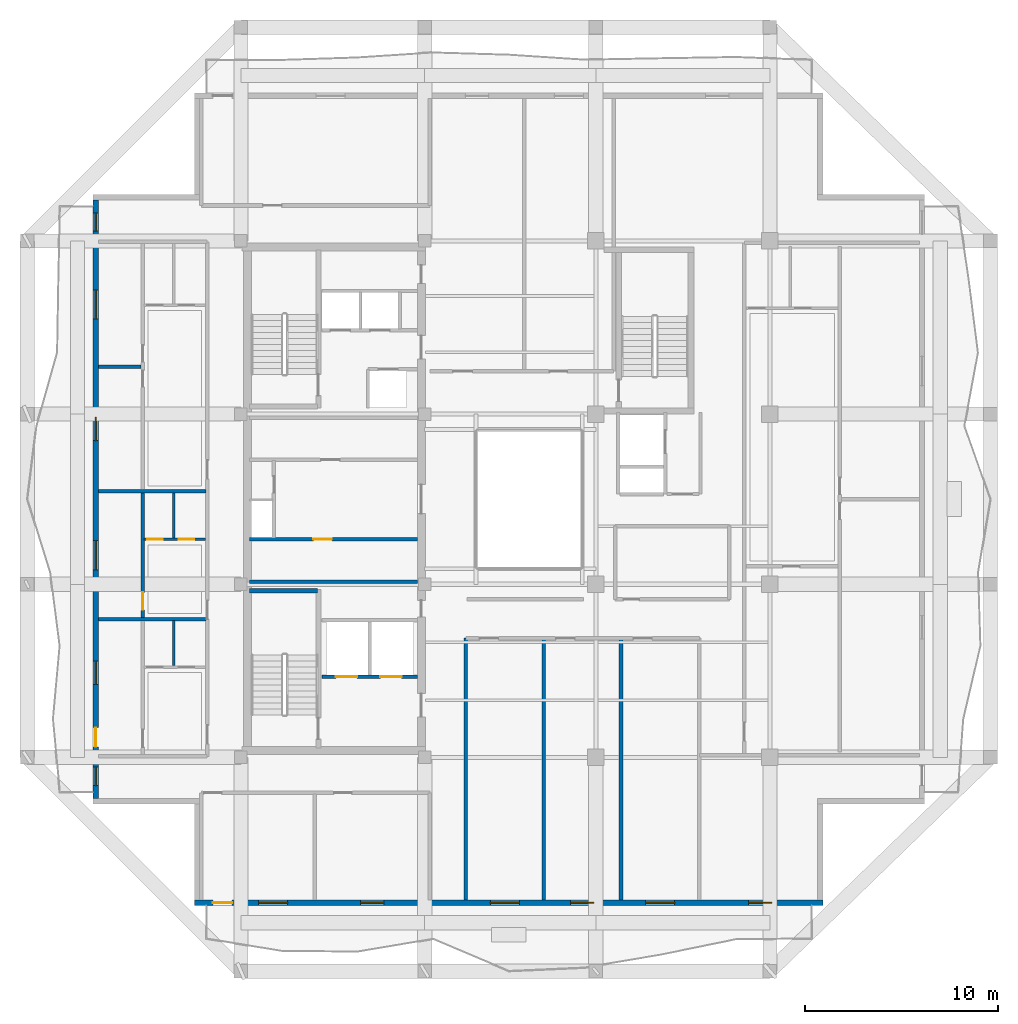
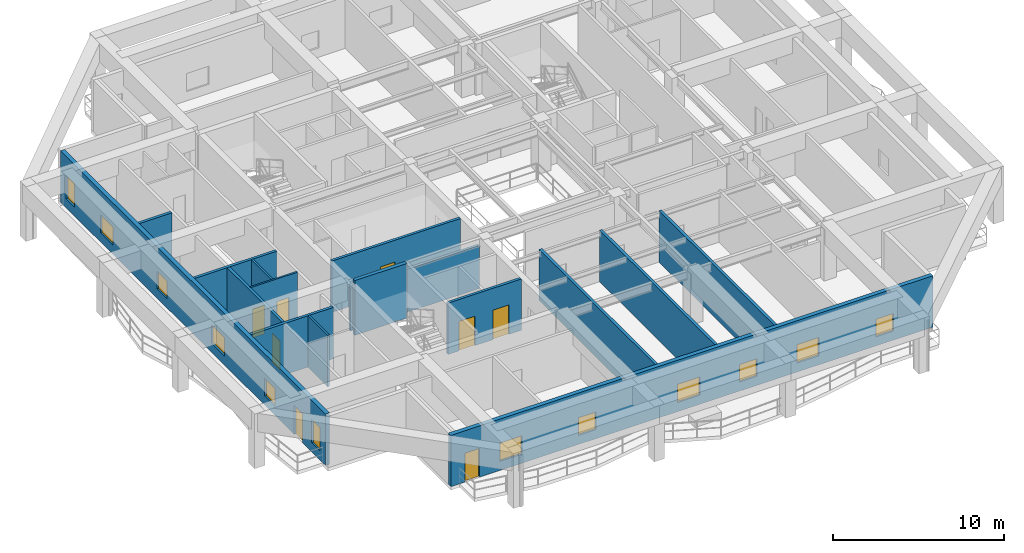
# One storey, part 3 of 11: 16 walls, 12 windows, 8 doors, 20 openings.
"""IFC4 building model written with IfcOpenShell, lengths in metres."""

from ifc_helpers import new_model, si_unit, direction, frame, frame_2d, origin, place, context, subcontext, project, spatial, rectangle, extrude, material, layer, layer_set, type_object, element, fill, save


model = new_model("IFC4")

# Units and contexts
model_context = context("Model", 3, precision=1e-05, world=origin(), true_north=direction((0.0, 1.0)))
body_context = subcontext(model_context, "Body", "Model", "MODEL_VIEW")
ifc_project = project(units=[si_unit("LENGTHUNIT", "METRE"), si_unit("AREAUNIT", "SQUARE_METRE"), si_unit("VOLUMEUNIT", "CUBIC_METRE"), si_unit("PLANEANGLEUNIT", "RADIAN"), si_unit("MASSUNIT", "GRAM", prefix="KILO")], contexts=[model_context])

# Site, building, storey
site_placement = place(None, origin())
site = spatial("IfcSite", under=ifc_project, at=site_placement, CompositionType="ELEMENT")
building_placement = place(site_placement, origin())
building = spatial("IfcBuilding", under=site, at=building_placement, Name="Kundavana Baori Tower", CompositionType="ELEMENT")
storey_placement = place(building_placement, frame((0.0, 0.0, 268.699951171875)))
storey = spatial("IfcBuildingStorey", under=building, at=storey_placement, Name="L66", CompositionType="ELEMENT", Elevation=268.699951171875)

# Wall
ifc_material_1 = material(Name="Concrete C50/60", Category="concrete")
ifc_layer_1 = layer(ifc_material_1, 0.39990234375, Name="WL-CORE-400")
ifc_layer_set_1 = layer_set([ifc_layer_1], Name="Concrete C50/60")
wall_type_1 = type_object("IfcWallType", Name="WL-CORE-400", PredefinedType="SHEAR", material=ifc_layer_set_1)
wall_1_placement = place(storey_placement, frame((15.89990234375, 23.860107421875, 0.0), z_axis=(0.0, 0.0, 1.0), x_axis=(1.0, 0.0, 0.0)))
element("IfcWall", 1, at=wall_1_placement, inside=storey, type_object=wall_type_1, Name="WL-L66-ST1-N", PredefinedType="SHEAR", context=body_context, shape_type="SweptSolid", body=[
    extrude(rectangle(XDim=3.52001953125, YDim=0.239990234375, at=frame_2d((1.760009765625, 0.0))), origin(), (0.0, 0.0, 1.0), 3.900146484375),
])

# Wall, openings, door, windows
ifc_material_2 = material(Name="Red-Buff Dholpur Sandstone Cladding on Concrete C40/50", Category="masonry")
ifc_layer_2 = layer(ifc_material_2, 0.280029296875, Name="WL-EXT-SAND-280")
ifc_layer_set_2 = layer_set([ifc_layer_2], Name="Red-Buff Dholpur Sandstone Cladding on Concrete C40/50")
wall_type_2 = type_object("IfcWallType", Name="WL-EXT-SAND-280", PredefinedType="STANDARD", material=ifc_layer_set_2)
wall_2_placement = place(storey_placement, frame((13.050048828125, 7.739990234375, 0.0), z_axis=(0.0, 0.0, 1.0), x_axis=(1.0, 0.0, 0.0)))
wall_2 = element("IfcWall", 2, at=wall_2_placement, inside=storey, type_object=wall_type_2, Name="L66 Exterior Insulated Facade Wall 01", PredefinedType="STANDARD", context=body_context, shape_type="SweptSolid", body=[
    extrude(rectangle(XDim=32.5, YDim=0.280029296875, at=frame_2d((16.25, 0.0))), origin(), (0.0, 0.0, 1.0), 3.66015625),
])
opening_1_placement = place(wall_2_placement, frame((0.949951171875, 0.0, 0.0)))
opening_1 = element("IfcOpeningElement", 3, at=opening_1_placement, cuts=wall_2, Name="Opening BD-1", PredefinedType="OPENING", context=body_context, shape_type="SweptSolid", body=[
    extrude(rectangle(XDim=1.0, YDim=2.050048828125, at=frame_2d((0.5, 1.02490234375))), frame((0.0, 0.14990234375, 0.0), z_axis=(0.0, -1.0, 0.0), x_axis=(1.0, 0.0, 0.0)), (0.0, 0.0, 1.0), 0.300048828125),
])
opening_2_placement = place(wall_2_placement, frame((3.31005859375, 0.0, 0.64990234375)))
opening_2 = element("IfcOpeningElement", 4, at=opening_2_placement, cuts=wall_2, Name="Opening W-11", PredefinedType="OPENING", context=body_context, shape_type="SweptSolid", body=[
    extrude(rectangle(XDim=1.5, YDim=1.300048828125, at=frame_2d((0.75, 0.64990234375))), frame((0.0, 0.14990234375, 0.0), z_axis=(0.0, -1.0, 0.0), x_axis=(1.0, 0.0, 0.0)), (0.0, 0.0, 1.0), 0.300048828125),
])
opening_3_placement = place(wall_2_placement, frame((8.594970703125, 0.0, 0.64990234375)))
opening_3 = element("IfcOpeningElement", 5, at=opening_3_placement, cuts=wall_2, Name="Opening W-12", PredefinedType="OPENING", context=body_context, shape_type="SweptSolid", body=[
    extrude(rectangle(XDim=1.199951171875, YDim=1.25, at=frame_2d((0.60009765625, 0.625))), frame((0.0, 0.14990234375, 0.0), z_axis=(0.0, -1.0, 0.0), x_axis=(1.0, 0.0, 0.0)), (0.0, 0.0, 1.0), 0.300048828125),
])
opening_4_placement = place(wall_2_placement, frame((15.2900390625, 0.0, 0.64990234375)))
opening_4 = element("IfcOpeningElement", 6, at=opening_4_placement, cuts=wall_2, Name="Opening W-11", PredefinedType="OPENING", context=body_context, shape_type="SweptSolid", body=[
    extrude(rectangle(XDim=1.5, YDim=1.300048828125, at=frame_2d((0.75, 0.64990234375))), frame((0.0, 0.14990234375, 0.0), z_axis=(0.0, -1.0, 0.0), x_axis=(1.0, 0.0, 0.0)), (0.0, 0.0, 1.0), 0.300048828125),
])
opening_5_placement = place(wall_2_placement, frame((19.449951171875, 0.0, 0.64990234375)))
opening_5 = element("IfcOpeningElement", 7, at=opening_5_placement, cuts=wall_2, Name="Opening W-12", PredefinedType="OPENING", context=body_context, shape_type="SweptSolid", body=[
    extrude(rectangle(XDim=1.199951171875, YDim=1.25, at=frame_2d((0.60009765625, 0.625))), frame((0.0, 0.14990234375, 0.0), z_axis=(0.0, -1.0, 0.0), x_axis=(1.0, 0.0, 0.0)), (0.0, 0.0, 1.0), 0.300048828125),
])
opening_6_placement = place(wall_2_placement, frame((23.324951171875, 0.0, 0.64990234375)))
opening_6 = element("IfcOpeningElement", 8, at=opening_6_placement, cuts=wall_2, Name="Opening W-11", PredefinedType="OPENING", context=body_context, shape_type="SweptSolid", body=[
    extrude(rectangle(XDim=1.5, YDim=1.300048828125, at=frame_2d((0.75, 0.64990234375))), frame((0.0, 0.14990234375, 0.0), z_axis=(0.0, -1.0, 0.0), x_axis=(1.0, 0.0, 0.0)), (0.0, 0.0, 1.0), 0.300048828125),
])
opening_7_placement = place(wall_2_placement, frame((28.64501953125, 0.0, 0.64990234375)))
opening_7 = element("IfcOpeningElement", 9, at=opening_7_placement, cuts=wall_2, Name="Opening W-12", PredefinedType="OPENING", context=body_context, shape_type="SweptSolid", body=[
    extrude(rectangle(XDim=1.199951171875, YDim=1.25, at=frame_2d((0.60009765625, 0.625))), frame((0.0, 0.14990234375, 0.0), z_axis=(0.0, -1.0, 0.0), x_axis=(1.0, 0.0, 0.0)), (0.0, 0.0, 1.0), 0.300048828125),
])
ifc_material_3 = material(Name="Architectural Patinated Bronze Metalwork")
door_type_1 = type_object("IfcDoorType", Name="DR-EXT-LOG-1000", OperationType="NOTDEFINED", PredefinedType="DOOR", material=ifc_material_3)
door_1_placement = place(opening_1_placement, frame((1.0, 0.0, 0.0), z_axis=(0.0, 0.0, 1.0), x_axis=(-1.0, 0.0, 0.0)))
door_1 = element("IfcDoor", 10, at=door_1_placement, inside=storey, type_object=door_type_1, Name="L66 Loggia Balcony Access Door S", OperationType="SINGLE_SWING_LEFT", OverallHeight=2.050048828125, OverallWidth=1.0, PredefinedType="DOOR", context=body_context, shape_type="SweptSolid", body=[
    extrude(rectangle(XDim=1.0, YDim=2.050048828125, at=frame_2d((0.5, 1.02490234375))), frame((0.0, 0.02490234375, 0.0), z_axis=(0.0, -1.0, 0.0), x_axis=(1.0, 0.0, 0.0)), (0.0, 0.0, 1.0), 0.050048828125),
])
fill(opening_1, door_1)
ifc_material_4 = material(Name="Double-Glazed Solar-Control Low-E Insulated Glass", Category="glass")
window_type_1 = type_object("IfcWindowType", Name="WIN-TRN-1200x1250", PartitioningType="SINGLE_PANEL", PredefinedType="WINDOW", material=ifc_material_4)
window_1_placement = place(opening_3_placement, origin())
window_1 = element("IfcWindow", 11, at=window_1_placement, inside=storey, type_object=window_type_1, Name="L66 Recessed Loggia Window S-2", OverallHeight=1.25, OverallWidth=1.199951171875, PartitioningType="SINGLE_PANEL", PredefinedType="WINDOW", context=body_context, shape_type="SweptSolid", body=[
    extrude(rectangle(XDim=1.199951171875, YDim=1.25, at=frame_2d((0.60009765625, 0.625))), frame((0.0, 0.030029296875, 0.0), z_axis=(0.0, -1.0, 0.0), x_axis=(1.0, 0.0, 0.0)), (0.0, 0.0, 1.0), 0.06005859375),
])
fill(opening_3, window_1)
window_2_placement = place(opening_5_placement, origin())
window_2 = element("IfcWindow", 12, at=window_2_placement, inside=storey, type_object=window_type_1, Name="L66 Recessed Loggia Window S-4", OverallHeight=1.25, OverallWidth=1.199951171875, PartitioningType="SINGLE_PANEL", PredefinedType="WINDOW", context=body_context, shape_type="SweptSolid", body=[
    extrude(rectangle(XDim=1.199951171875, YDim=1.25, at=frame_2d((0.60009765625, 0.625))), frame((0.0, 0.030029296875, 0.0), z_axis=(0.0, -1.0, 0.0), x_axis=(1.0, 0.0, 0.0)), (0.0, 0.0, 1.0), 0.06005859375),
])
fill(opening_5, window_2)
window_3_placement = place(opening_7_placement, origin())
window_3 = element("IfcWindow", 13, at=window_3_placement, inside=storey, type_object=window_type_1, Name="L66 Recessed Loggia Window S-6", OverallHeight=1.25, OverallWidth=1.199951171875, PartitioningType="SINGLE_PANEL", PredefinedType="WINDOW", context=body_context, shape_type="SweptSolid", body=[
    extrude(rectangle(XDim=1.199951171875, YDim=1.25, at=frame_2d((0.60009765625, 0.625))), frame((0.0, 0.030029296875, 0.0), z_axis=(0.0, -1.0, 0.0), x_axis=(1.0, 0.0, 0.0)), (0.0, 0.0, 1.0), 0.06005859375),
])
fill(opening_7, window_3)
ifc_material_5 = material(Name="Double-Glazed Solar-Control Low-E Insulated Glass", Category="glass")
window_type_2 = type_object("IfcWindowType", Name="WIN-TRN-1500x1300", PartitioningType="SINGLE_PANEL", PredefinedType="WINDOW", material=ifc_material_5)
window_4_placement = place(opening_2_placement, origin())
window_4 = element("IfcWindow", 14, at=window_4_placement, inside=storey, type_object=window_type_2, Name="L66 Recessed Loggia Window S-1", OverallHeight=1.300048828125, OverallWidth=1.5, PartitioningType="SINGLE_PANEL", PredefinedType="WINDOW", context=body_context, shape_type="SweptSolid", body=[
    extrude(rectangle(XDim=1.5, YDim=1.300048828125, at=frame_2d((0.75, 0.64990234375))), frame((0.0, 0.030029296875, 0.0), z_axis=(0.0, -1.0, 0.0), x_axis=(1.0, 0.0, 0.0)), (0.0, 0.0, 1.0), 0.06005859375),
])
fill(opening_2, window_4)
window_5_placement = place(opening_4_placement, origin())
window_5 = element("IfcWindow", 15, at=window_5_placement, inside=storey, type_object=window_type_2, Name="L66 Recessed Loggia Window S-3", OverallHeight=1.300048828125, OverallWidth=1.5, PartitioningType="SINGLE_PANEL", PredefinedType="WINDOW", context=body_context, shape_type="SweptSolid", body=[
    extrude(rectangle(XDim=1.5, YDim=1.300048828125, at=frame_2d((0.75, 0.64990234375))), frame((0.0, 0.030029296875, 0.0), z_axis=(0.0, -1.0, 0.0), x_axis=(1.0, 0.0, 0.0)), (0.0, 0.0, 1.0), 0.06005859375),
])
fill(opening_4, window_5)
window_6_placement = place(opening_6_placement, origin())
window_6 = element("IfcWindow", 16, at=window_6_placement, inside=storey, type_object=window_type_2, Name="L66 Recessed Loggia Window S-5", OverallHeight=1.300048828125, OverallWidth=1.5, PartitioningType="SINGLE_PANEL", PredefinedType="WINDOW", context=body_context, shape_type="SweptSolid", body=[
    extrude(rectangle(XDim=1.5, YDim=1.300048828125, at=frame_2d((0.75, 0.64990234375))), frame((0.0, 0.030029296875, 0.0), z_axis=(0.0, -1.0, 0.0), x_axis=(1.0, 0.0, 0.0)), (0.0, 0.0, 1.0), 0.06005859375),
])
fill(opening_6, window_6)

wall_3_placement = place(storey_placement, frame((7.93994140625, 44.070068359375, 0.0), z_axis=(0.0, 0.0, 1.0), x_axis=(0.0, -1.0, 0.0)))
wall_3 = element("IfcWall", 17, at=wall_3_placement, inside=storey, type_object=wall_type_2, Name="L66 Exterior Insulated Facade Wall 10", PredefinedType="STANDARD", context=body_context, shape_type="SweptSolid", body=[
    extrude(rectangle(XDim=30.940185546875, YDim=0.280029296875, at=frame_2d((15.47021484375, 0.0))), origin(), (0.0, 0.0, 1.0), 3.66015625),
])
opening_8_placement = place(wall_3_placement, frame((29.324951171875, 0.0, 0.64990234375)))
opening_8 = element("IfcOpeningElement", 18, at=opening_8_placement, cuts=wall_3, Name="Opening W-13", PredefinedType="OPENING", context=body_context, shape_type="SweptSolid", body=[
    extrude(rectangle(XDim=0.949951171875, YDim=1.64990234375, at=frame_2d((0.47509765625, 0.824951171875))), frame((0.0, 0.14990234375, 0.0), z_axis=(0.0, -1.0, 0.0), x_axis=(1.0, 0.0, 0.0)), (0.0, 0.0, 1.0), 0.300048828125),
])
opening_9_placement = place(wall_3_placement, frame((27.280029296875, 0.0, 0.0)))
opening_9 = element("IfcOpeningElement", 19, at=opening_9_placement, cuts=wall_3, Name="Opening BD-1", PredefinedType="OPENING", context=body_context, shape_type="SweptSolid", body=[
    extrude(rectangle(XDim=1.0, YDim=2.050048828125, at=frame_2d((0.5, 1.02490234375))), frame((0.0, 0.14990234375, 0.0), z_axis=(0.0, -1.0, 0.0), x_axis=(1.0, 0.0, 0.0)), (0.0, 0.0, 1.0), 0.300048828125),
])
opening_10_placement = place(wall_3_placement, frame((23.844970703125, 0.0, 0.64990234375)))
opening_10 = element("IfcOpeningElement", 20, at=opening_10_placement, cuts=wall_3, Name="Opening W-12", PredefinedType="OPENING", context=body_context, shape_type="SweptSolid", body=[
    extrude(rectangle(XDim=1.199951171875, YDim=1.25, at=frame_2d((0.60009765625, 0.625))), frame((0.0, 0.14990234375, 0.0), z_axis=(0.0, -1.0, 0.0), x_axis=(1.0, 0.0, 0.0)), (0.0, 0.0, 1.0), 0.300048828125),
])
opening_11_placement = place(wall_3_placement, frame((17.6201171875, 0.0, 0.64990234375)))
opening_11 = element("IfcOpeningElement", 21, at=opening_11_placement, cuts=wall_3, Name="Opening W-11", PredefinedType="OPENING", context=body_context, shape_type="SweptSolid", body=[
    extrude(rectangle(XDim=1.5, YDim=1.300048828125, at=frame_2d((0.75, 0.64990234375))), frame((0.0, 0.14990234375, 0.0), z_axis=(0.0, -1.0, 0.0), x_axis=(1.0, 0.0, 0.0)), (0.0, 0.0, 1.0), 0.300048828125),
])
opening_12_placement = place(wall_3_placement, frame((11.2451171875, 0.0, 0.64990234375)))
opening_12 = element("IfcOpeningElement", 22, at=opening_12_placement, cuts=wall_3, Name="Opening W-12", PredefinedType="OPENING", context=body_context, shape_type="SweptSolid", body=[
    extrude(rectangle(XDim=1.199951171875, YDim=1.25, at=frame_2d((0.60009765625, 0.625))), frame((0.0, 0.14990234375, 0.0), z_axis=(0.0, -1.0, 0.0), x_axis=(1.0, 0.0, 0.0)), (0.0, 0.0, 1.0), 0.300048828125),
])
opening_13_placement = place(wall_3_placement, frame((4.64501953125, 0.0, 0.64990234375)))
opening_13 = element("IfcOpeningElement", 23, at=opening_13_placement, cuts=wall_3, Name="Opening W-11", PredefinedType="OPENING", context=body_context, shape_type="SweptSolid", body=[
    extrude(rectangle(XDim=1.5, YDim=1.300048828125, at=frame_2d((0.75, 0.64990234375))), frame((0.0, 0.14990234375, 0.0), z_axis=(0.0, -1.0, 0.0), x_axis=(1.0, 0.0, 0.0)), (0.0, 0.0, 1.0), 0.300048828125),
])
opening_14_placement = place(wall_3_placement, frame((0.6650390625, 0.0, 0.64990234375)))
opening_14 = element("IfcOpeningElement", 24, at=opening_14_placement, cuts=wall_3, Name="Opening W-13", PredefinedType="OPENING", context=body_context, shape_type="SweptSolid", body=[
    extrude(rectangle(XDim=0.949951171875, YDim=1.64990234375, at=frame_2d((0.47509765625, 0.824951171875))), frame((0.0, 0.14990234375, 0.0), z_axis=(0.0, -1.0, 0.0), x_axis=(1.0, 0.0, 0.0)), (0.0, 0.0, 1.0), 0.300048828125),
])
door_2_placement = place(opening_9_placement, frame((1.0, 0.0, 0.0), z_axis=(0.0, 0.0, 1.0), x_axis=(-1.0, 0.0, 0.0)))
door_2 = element("IfcDoor", 25, at=door_2_placement, inside=storey, type_object=door_type_1, Name="L66 Loggia Balcony Access Door W", OperationType="SINGLE_SWING_LEFT", OverallHeight=2.050048828125, OverallWidth=1.0, PredefinedType="DOOR", context=body_context, shape_type="SweptSolid", body=[
    extrude(rectangle(XDim=1.0, YDim=2.050048828125, at=frame_2d((0.5, 1.02490234375))), frame((0.0, 0.02490234375, 0.0), z_axis=(0.0, -1.0, 0.0), x_axis=(1.0, 0.0, 0.0)), (0.0, 0.0, 1.0), 0.050048828125),
])
fill(opening_9, door_2)
ifc_material_6 = material(Name="Double-Glazed Solar-Control Low-E Insulated Glass", Category="glass")
window_type_3 = type_object("IfcWindowType", Name="WIN-LOG-950x1650", PartitioningType="SINGLE_PANEL", PredefinedType="WINDOW", material=ifc_material_6)
window_7_placement = place(opening_8_placement, origin())
window_7 = element("IfcWindow", 26, at=window_7_placement, inside=storey, type_object=window_type_3, Name="L66 Recessed Loggia Window W-1", OverallHeight=1.64990234375, OverallWidth=0.949951171875, PartitioningType="SINGLE_PANEL", PredefinedType="WINDOW", context=body_context, shape_type="SweptSolid", body=[
    extrude(rectangle(XDim=0.949951171875, YDim=1.64990234375, at=frame_2d((0.47509765625, 0.824951171875))), frame((0.0, 0.030029296875, 0.0), z_axis=(0.0, -1.0, 0.0), x_axis=(1.0, 0.0, 0.0)), (0.0, 0.0, 1.0), 0.06005859375),
])
fill(opening_8, window_7)
window_8_placement = place(opening_14_placement, origin())
window_8 = element("IfcWindow", 27, at=window_8_placement, inside=storey, type_object=window_type_3, Name="L66 Recessed Loggia Window W-6", OverallHeight=1.64990234375, OverallWidth=0.949951171875, PartitioningType="SINGLE_PANEL", PredefinedType="WINDOW", context=body_context, shape_type="SweptSolid", body=[
    extrude(rectangle(XDim=0.949951171875, YDim=1.64990234375, at=frame_2d((0.47509765625, 0.824951171875))), frame((0.0, 0.030029296875, 0.0), z_axis=(0.0, -1.0, 0.0), x_axis=(1.0, 0.0, 0.0)), (0.0, 0.0, 1.0), 0.06005859375),
])
fill(opening_14, window_8)
window_9_placement = place(opening_10_placement, origin())
window_9 = element("IfcWindow", 28, at=window_9_placement, inside=storey, type_object=window_type_1, Name="L66 Recessed Loggia Window W-2", OverallHeight=1.25, OverallWidth=1.199951171875, PartitioningType="SINGLE_PANEL", PredefinedType="WINDOW", context=body_context, shape_type="SweptSolid", body=[
    extrude(rectangle(XDim=1.199951171875, YDim=1.25, at=frame_2d((0.60009765625, 0.625))), frame((0.0, 0.030029296875, 0.0), z_axis=(0.0, -1.0, 0.0), x_axis=(1.0, 0.0, 0.0)), (0.0, 0.0, 1.0), 0.06005859375),
])
fill(opening_10, window_9)
window_10_placement = place(opening_12_placement, origin())
window_10 = element("IfcWindow", 29, at=window_10_placement, inside=storey, type_object=window_type_1, Name="L66 Recessed Loggia Window W-4", OverallHeight=1.25, OverallWidth=1.199951171875, PartitioningType="SINGLE_PANEL", PredefinedType="WINDOW", context=body_context, shape_type="SweptSolid", body=[
    extrude(rectangle(XDim=1.199951171875, YDim=1.25, at=frame_2d((0.60009765625, 0.625))), frame((0.0, 0.030029296875, 0.0), z_axis=(0.0, -1.0, 0.0), x_axis=(1.0, 0.0, 0.0)), (0.0, 0.0, 1.0), 0.06005859375),
])
fill(opening_12, window_10)
window_11_placement = place(opening_11_placement, origin())
window_11 = element("IfcWindow", 30, at=window_11_placement, inside=storey, type_object=window_type_2, Name="L66 Recessed Loggia Window W-3", OverallHeight=1.300048828125, OverallWidth=1.5, PartitioningType="SINGLE_PANEL", PredefinedType="WINDOW", context=body_context, shape_type="SweptSolid", body=[
    extrude(rectangle(XDim=1.5, YDim=1.300048828125, at=frame_2d((0.75, 0.64990234375))), frame((0.0, 0.030029296875, 0.0), z_axis=(0.0, -1.0, 0.0), x_axis=(1.0, 0.0, 0.0)), (0.0, 0.0, 1.0), 0.06005859375),
])
fill(opening_11, window_11)
window_12_placement = place(opening_13_placement, origin())
window_12 = element("IfcWindow", 31, at=window_12_placement, inside=storey, type_object=window_type_2, Name="L66 Recessed Loggia Window W-5", OverallHeight=1.300048828125, OverallWidth=1.5, PartitioningType="SINGLE_PANEL", PredefinedType="WINDOW", context=body_context, shape_type="SweptSolid", body=[
    extrude(rectangle(XDim=1.5, YDim=1.300048828125, at=frame_2d((0.75, 0.64990234375))), frame((0.0, 0.030029296875, 0.0), z_axis=(0.0, -1.0, 0.0), x_axis=(1.0, 0.0, 0.0)), (0.0, 0.0, 1.0), 0.06005859375),
])
fill(opening_13, window_12)

# Walls
ifc_material_7 = material(Name="Autoclaved Aerated Concrete Blockwork Masonry", Category="masonry")
ifc_layer_3 = layer(ifc_material_7, 0.18505859375, Name="WL-PART-180")
ifc_layer_set_3 = layer_set([ifc_layer_3], Name="Autoclaved Aerated Concrete Blockwork Masonry")
wall_type_3 = type_object("IfcWallType", Name="WL-PART-180", PredefinedType="SOLIDWALL", material=ifc_layer_set_3)
wall_4_placement = place(storey_placement, frame((27.080078125, 7.8798828125, 0.0), z_axis=(0.0, 0.0, 1.0), x_axis=(0.0, 1.0, 0.0)))
element("IfcWall", 32, at=wall_4_placement, inside=storey, type_object=wall_type_3, Name="WL-L66-RSW", PredefinedType="SOLIDWALL", context=body_context, shape_type="SweptSolid", body=[
    extrude(rectangle(XDim=13.5400390625, YDim=0.18505859375, at=frame_2d((6.77001953125, 0.0))), origin(), (0.0, 0.0, 1.0), 3.66015625),
])
wall_5_placement = place(storey_placement, frame((8.080078125, 22.39990234375, 0.0), z_axis=(0.0, 0.0, 1.0), x_axis=(1.0, 0.0, 0.0)))
element("IfcWall", 33, at=wall_5_placement, inside=storey, type_object=wall_type_3, Name="WL-L66-RWD1", PredefinedType="SOLIDWALL", context=body_context, shape_type="SweptSolid", body=[
    extrude(rectangle(XDim=5.559814453125, YDim=0.18505859375, at=frame_2d((2.77978515625, 0.0))), origin(), (0.0, 0.0, 1.0), 3.66015625),
])

# Wall, opening, door
wall_6_placement = place(storey_placement, frame((10.3701171875, 22.47998046875, 0.0), z_axis=(0.0, 0.0, 1.0), x_axis=(0.0, 1.0, 0.0)))
wall_6 = element("IfcWall", 34, at=wall_6_placement, inside=storey, type_object=wall_type_3, Name="WL-L66-W2-VT", PredefinedType="SOLIDWALL", context=body_context, shape_type="SweptSolid", body=[
    extrude(rectangle(XDim=6.43994140625, YDim=0.18505859375, at=frame_2d((3.219970703125, 0.0))), origin(), (0.0, 0.0, 1.0), 3.66015625),
])
opening_15_placement = place(wall_6_placement, frame((0.39990234375, 0.0, 0.0)))
opening_15 = element("IfcOpeningElement", 35, at=opening_15_placement, cuts=wall_6, Name="Opening ID-090", PredefinedType="OPENING", context=body_context, shape_type="SweptSolid", body=[
    extrude(rectangle(XDim=0.89990234375, YDim=2.080078125, at=frame_2d((0.449951171875, 1.0400390625))), frame((0.0, 0.1025390625, 0.0), z_axis=(0.0, -1.0, 0.0), x_axis=(1.0, 0.0, 0.0)), (0.0, 0.0, 1.0), 0.205078125),
])
ifc_material_8 = material(Name="Engineered Teak Solid-Core Timber Veneer", Category="wood")
door_type_2 = type_object("IfcDoorType", Name="DR-INT-900", OperationType="NOTDEFINED", PredefinedType="DOOR", material=ifc_material_8)
door_3_placement = place(opening_15_placement, frame((0.89990234375, 0.0, 0.0), z_axis=(0.0, 0.0, 1.0), x_axis=(-1.0, 0.0, 0.0)))
door_3 = element("IfcDoor", 36, at=door_3_placement, inside=storey, type_object=door_type_2, Name="DR-L66-W2-B1", OperationType="SINGLE_SWING_LEFT", OverallHeight=2.080078125, OverallWidth=0.89990234375, PredefinedType="DOOR", context=body_context, shape_type="SweptSolid", body=[
    extrude(rectangle(XDim=0.89990234375, YDim=2.080078125, at=frame_2d((0.449951171875, 1.0400390625))), frame((0.0, 0.02490234375, 0.0), z_axis=(0.0, -1.0, 0.0), x_axis=(1.0, 0.0, 0.0)), (0.0, 0.0, 1.0), 0.050048828125),
])
fill(opening_15, door_3)

# Walls
wall_7_placement = place(storey_placement, frame((8.080078125, 29.0, 0.0), z_axis=(0.0, 0.0, 1.0), x_axis=(1.0, 0.0, 0.0)))
element("IfcWall", 37, at=wall_7_placement, inside=storey, type_object=wall_type_3, Name="WL-L66-RWD2", PredefinedType="SOLIDWALL", context=body_context, shape_type="SweptSolid", body=[
    extrude(rectangle(XDim=5.559814453125, YDim=0.18505859375, at=frame_2d((2.77978515625, 0.0))), origin(), (0.0, 0.0, 1.0), 3.66015625),
])
wall_8_placement = place(storey_placement, frame((8.080078125, 35.449951171875, 0.0), z_axis=(0.0, 0.0, 1.0), x_axis=(1.0, 0.0, 0.0)))
element("IfcWall", 38, at=wall_8_placement, inside=storey, type_object=wall_type_3, Name="WL-L66-W3-BDH", PredefinedType="SOLIDWALL", context=body_context, shape_type="SweptSolid", body=[
    extrude(rectangle(XDim=2.2099609375, YDim=0.18505859375, at=frame_2d((1.10498046875, 0.0))), origin(), (0.0, 0.0, 1.0), 3.66015625),
])
for number, where, z_axis, x_axis, name in (
    (39, (31.10009765625, 7.8798828125, 0.0), (0.0, 0.0, 1.0), (0.0, 1.0, 0.0), "WL-L66-RSD1"),
    (40, (35.10009765625, 7.8798828125, 0.0), (0.0, 0.0, 1.0), (0.0, 1.0, 0.0), "WL-L66-RSD2"),
):
    element("IfcWall", number, at=place(storey_placement, frame(where, z_axis=z_axis, x_axis=x_axis)), inside=storey, type_object=wall_type_3, Name=name, PredefinedType="SOLIDWALL", context=body_context, shape_type="SweptSolid", body=[
        extrude(rectangle(XDim=13.460205078125, YDim=0.18505859375, at=frame_2d((6.72998046875, 0.0))), origin(), (0.0, 0.0, 1.0), 3.66015625),
    ])

# Wall, openings, doors
ifc_material_9 = material(Name="Autoclaved Aerated Concrete Blockwork Masonry", Category="masonry")
ifc_layer_4 = layer(ifc_material_9, 0.179931640625, Name="WL-SHAFT-180")
ifc_layer_set_4 = layer_set([ifc_layer_4], Name="Autoclaved Aerated Concrete Blockwork Masonry")
wall_type_4 = type_object("IfcWallType", Name="WL-SHAFT-180", PredefinedType="SOLIDWALL", material=ifc_layer_set_4)
wall_9_placement = place(storey_placement, frame((19.639892578125, 19.419921875, 0.0), z_axis=(0.0, 0.0, 1.0), x_axis=(1.0, 0.0, 0.0)))
wall_9 = element("IfcWall", 41, at=wall_9_placement, inside=storey, type_object=wall_type_4, Name="WL-L66-FFL-S", PredefinedType="SOLIDWALL", context=body_context, shape_type="SweptSolid", body=[
    extrude(rectangle(XDim=4.940185546875, YDim=0.179931640625, at=frame_2d((2.47021484375, 0.0))), origin(), (0.0, 0.0, 1.0), 3.66015625),
])
opening_16_placement = place(wall_9_placement, frame((0.719970703125, 0.0, 0.0)))
opening_16 = element("IfcOpeningElement", 42, at=opening_16_placement, cuts=wall_9, Name="Opening LD-110", PredefinedType="OPENING", context=body_context, shape_type="SweptSolid", body=[
    extrude(rectangle(XDim=1.10009765625, YDim=2.10009765625, at=frame_2d((0.550048828125, 1.050048828125))), frame((0.0, 0.10009765625, 0.0), z_axis=(0.0, -1.0, 0.0), x_axis=(1.0, 0.0, 0.0)), (0.0, 0.0, 1.0), 0.199951171875),
])
opening_17_placement = place(wall_9_placement, frame((3.02001953125, 0.0, 0.0)))
opening_17 = element("IfcOpeningElement", 43, at=opening_17_placement, cuts=wall_9, Name="Opening LD-110", PredefinedType="OPENING", context=body_context, shape_type="SweptSolid", body=[
    extrude(rectangle(XDim=1.10009765625, YDim=2.10009765625, at=frame_2d((0.550048828125, 1.050048828125))), frame((0.0, 0.10009765625, 0.0), z_axis=(0.0, -1.0, 0.0), x_axis=(1.0, 0.0, 0.0)), (0.0, 0.0, 1.0), 0.199951171875),
])
ifc_material_10 = material(Name="Galvanised Steel Fire-Rated Door Leaf", Category="steel")
door_type_3 = type_object("IfcDoorType", Name="DR-SLIDE-LD1100", OperationType="NOTDEFINED", PredefinedType="DOOR", material=ifc_material_10)
door_4_placement = place(opening_16_placement, origin())
door_4 = element("IfcDoor", 44, at=door_4_placement, inside=storey, type_object=door_type_3, Name="DR-L66-LD-FFL-1", OperationType="DOUBLE_DOOR_SLIDING", OverallHeight=2.10009765625, OverallWidth=1.10009765625, PredefinedType="DOOR", context=body_context, shape_type="SweptSolid", body=[
    extrude(rectangle(XDim=1.10009765625, YDim=2.10009765625, at=frame_2d((0.550048828125, 1.050048828125))), frame((0.0, 0.02490234375, 0.0), z_axis=(0.0, -1.0, 0.0), x_axis=(1.0, 0.0, 0.0)), (0.0, 0.0, 1.0), 0.050048828125),
])
fill(opening_16, door_4)
door_5_placement = place(opening_17_placement, origin())
door_5 = element("IfcDoor", 45, at=door_5_placement, inside=storey, type_object=door_type_3, Name="DR-L66-LD-FFL-2", OperationType="DOUBLE_DOOR_SLIDING", OverallHeight=2.10009765625, OverallWidth=1.10009765625, PredefinedType="DOOR", context=body_context, shape_type="SweptSolid", body=[
    extrude(rectangle(XDim=1.10009765625, YDim=2.10009765625, at=frame_2d((0.550048828125, 1.050048828125))), frame((0.0, 0.02490234375, 0.0), z_axis=(0.0, -1.0, 0.0), x_axis=(1.0, 0.0, 0.0)), (0.0, 0.0, 1.0), 0.050048828125),
])
fill(opening_17, door_5)

# Wall, opening, door
wall_10_placement = place(storey_placement, frame((15.89990234375, 26.52001953125, 0.0), z_axis=(0.0, 0.0, 1.0), x_axis=(1.0, 0.0, 0.0)))
wall_10 = element("IfcWall", 46, at=wall_10_placement, inside=storey, type_object=wall_type_4, Name="WL-L66-LPLOW-N", PredefinedType="SOLIDWALL", context=body_context, shape_type="SweptSolid", body=[
    extrude(rectangle(XDim=8.68017578125, YDim=0.179931640625, at=frame_2d((4.340087890625, 0.0))), origin(), (0.0, 0.0, 1.0), 3.66015625),
])
opening_18_placement = place(wall_10_placement, frame((3.300048828125, 0.0, 0.0)))
opening_18 = element("IfcOpeningElement", 47, at=opening_18_placement, cuts=wall_10, Name="Opening FD-095", PredefinedType="OPENING", context=body_context, shape_type="SweptSolid", body=[
    extrude(rectangle(XDim=0.949951171875, YDim=2.10009765625, at=frame_2d((0.47509765625, 1.050048828125))), frame((0.0, 0.10009765625, 0.0), z_axis=(0.0, -1.0, 0.0), x_axis=(1.0, 0.0, 0.0)), (0.0, 0.0, 1.0), 0.199951171875),
])
ifc_material_11 = material(Name="Engineered Teak Fire-Rated Timber Door Leaf", Category="wood")
door_type_4 = type_object("IfcDoorType", Name="DR-FD60-950", OperationType="NOTDEFINED", PredefinedType="DOOR", material=ifc_material_11)
door_6_placement = place(opening_18_placement, origin())
door_6 = element("IfcDoor", 48, at=door_6_placement, inside=storey, type_object=door_type_4, Name="DR-L66-FRLOW1", OperationType="SINGLE_SWING_LEFT", OverallHeight=2.10009765625, OverallWidth=0.949951171875, PredefinedType="DOOR", context=body_context, shape_type="SweptSolid", body=[
    extrude(rectangle(XDim=0.949951171875, YDim=2.10009765625, at=frame_2d((0.47509765625, 1.050048828125))), frame((0.0, 0.02490234375, 0.0), z_axis=(0.0, -1.0, 0.0), x_axis=(1.0, 0.0, 0.0)), (0.0, 0.0, 1.0), 0.050048828125),
])
fill(opening_18, door_6)

# Walls
wall_11_placement = place(storey_placement, frame((15.89990234375, 24.330078125, 0.0), z_axis=(0.0, 0.0, 1.0), x_axis=(1.0, 0.0, 0.0)))
element("IfcWall", 49, at=wall_11_placement, inside=storey, type_object=wall_type_4, Name="WL-L66-LPLOW-S", PredefinedType="SOLIDWALL", context=body_context, shape_type="SweptSolid", body=[
    extrude(rectangle(XDim=8.68017578125, YDim=0.179931640625, at=frame_2d((4.340087890625, 0.0))), origin(), (0.0, 0.0, 1.0), 3.06005859375),
])
ifc_material_12 = material(Name="Autoclaved Aerated Concrete Blockwork Masonry", Category="masonry")
ifc_layer_5 = layer(ifc_material_12, 0.125, Name="WL-WET-120")
ifc_layer_set_5 = layer_set([ifc_layer_5], Name="Autoclaved Aerated Concrete Blockwork Masonry")
wall_type_5 = type_object("IfcWallType", Name="WL-WET-120", PredefinedType="PLUMBINGWALL", material=ifc_layer_set_5)
wall_12_placement = place(storey_placement, frame((11.971923828125, 20.0, 0.0), z_axis=(0.0, 0.0, 1.0), x_axis=(0.0, 1.0, 0.0)))
element("IfcWall", 50, at=wall_12_placement, inside=storey, type_object=wall_type_5, Name="WL-L66-W1-BV", PredefinedType="PLUMBINGWALL", context=body_context, shape_type="SweptSolid", body=[
    extrude(rectangle(XDim=2.320068359375, YDim=0.125, at=frame_2d((1.16015625, 0.0))), origin(), (0.0, 0.0, 1.0), 3.66015625),
])

# Wall, openings, doors
wall_13_placement = place(storey_placement, frame((10.449951171875, 26.52001953125, 0.0), z_axis=(0.0, 0.0, 1.0), x_axis=(1.0, 0.0, 0.0)))
wall_13 = element("IfcWall", 51, at=wall_13_placement, inside=storey, type_object=wall_type_5, Name="WL-L66-W2-KH", PredefinedType="PLUMBINGWALL", context=body_context, shape_type="SweptSolid", body=[
    extrude(rectangle(XDim=3.170166015625, YDim=0.125, at=frame_2d((1.5849609375, 0.0))), origin(), (0.0, 0.0, 1.0), 3.66015625),
])
opening_19_placement = place(wall_13_placement, frame((0.159912109375, 0.0, 0.0)))
opening_19 = element("IfcOpeningElement", 52, at=opening_19_placement, cuts=wall_13, Name="Opening WD-080", PredefinedType="OPENING", context=body_context, shape_type="SweptSolid", body=[
    extrude(rectangle(XDim=0.800048828125, YDim=2.050048828125, at=frame_2d((0.39990234375, 1.02490234375))), frame((0.0, 0.072509765625, 0.0), z_axis=(0.0, -1.0, 0.0), x_axis=(1.0, 0.0, 0.0)), (0.0, 0.0, 1.0), 0.14501953125),
])
opening_20_placement = place(wall_13_placement, frame((1.781982421875, 0.0, 0.0)))
opening_20 = element("IfcOpeningElement", 53, at=opening_20_placement, cuts=wall_13, Name="Opening WD-080", PredefinedType="OPENING", context=body_context, shape_type="SweptSolid", body=[
    extrude(rectangle(XDim=0.800048828125, YDim=2.050048828125, at=frame_2d((0.39990234375, 1.02490234375))), frame((0.0, 0.072509765625, 0.0), z_axis=(0.0, -1.0, 0.0), x_axis=(1.0, 0.0, 0.0)), (0.0, 0.0, 1.0), 0.14501953125),
])
ifc_material_13 = material(Name="Engineered Teak Solid-Core Timber Veneer", Category="wood")
door_type_5 = type_object("IfcDoorType", Name="DR-WET-800", OperationType="NOTDEFINED", PredefinedType="DOOR", material=ifc_material_13)
door_7_placement = place(opening_19_placement, origin())
door_7 = element("IfcDoor", 54, at=door_7_placement, inside=storey, type_object=door_type_5, Name="DR-L66-W2-BT", OperationType="SINGLE_SWING_LEFT", OverallHeight=2.050048828125, OverallWidth=0.800048828125, PredefinedType="DOOR", context=body_context, shape_type="SweptSolid", body=[
    extrude(rectangle(XDim=0.800048828125, YDim=2.050048828125, at=frame_2d((0.39990234375, 1.02490234375))), frame((0.0, 0.02490234375, 0.0), z_axis=(0.0, -1.0, 0.0), x_axis=(1.0, 0.0, 0.0)), (0.0, 0.0, 1.0), 0.050048828125),
])
fill(opening_19, door_7)
door_8_placement = place(opening_20_placement, origin())
door_8 = element("IfcDoor", 55, at=door_8_placement, inside=storey, type_object=door_type_5, Name="DR-L66-W2-KT", OperationType="SINGLE_SWING_RIGHT", OverallHeight=2.050048828125, OverallWidth=0.800048828125, PredefinedType="DOOR", context=body_context, shape_type="SweptSolid", body=[
    extrude(rectangle(XDim=0.800048828125, YDim=2.050048828125, at=frame_2d((0.39990234375, 1.02490234375))), frame((0.0, 0.02490234375, 0.0), z_axis=(0.0, -1.0, 0.0), x_axis=(1.0, 0.0, 0.0)), (0.0, 0.0, 1.0), 0.050048828125),
])
fill(opening_20, door_8)

# Wall
wall_14_placement = place(storey_placement, frame((11.971923828125, 26.60009765625, 0.0), z_axis=(0.0, 0.0, 1.0), x_axis=(0.0, 1.0, 0.0)))
element("IfcWall", 56, at=wall_14_placement, inside=storey, type_object=wall_type_5, Name="WL-L66-W2-BV", PredefinedType="PLUMBINGWALL", context=body_context, shape_type="SweptSolid", body=[
    extrude(rectangle(XDim=2.31982421875, YDim=0.125, at=frame_2d((1.159912109375, 0.0))), origin(), (0.0, 0.0, 1.0), 3.66015625),
])

save(model, "model.ifc")
